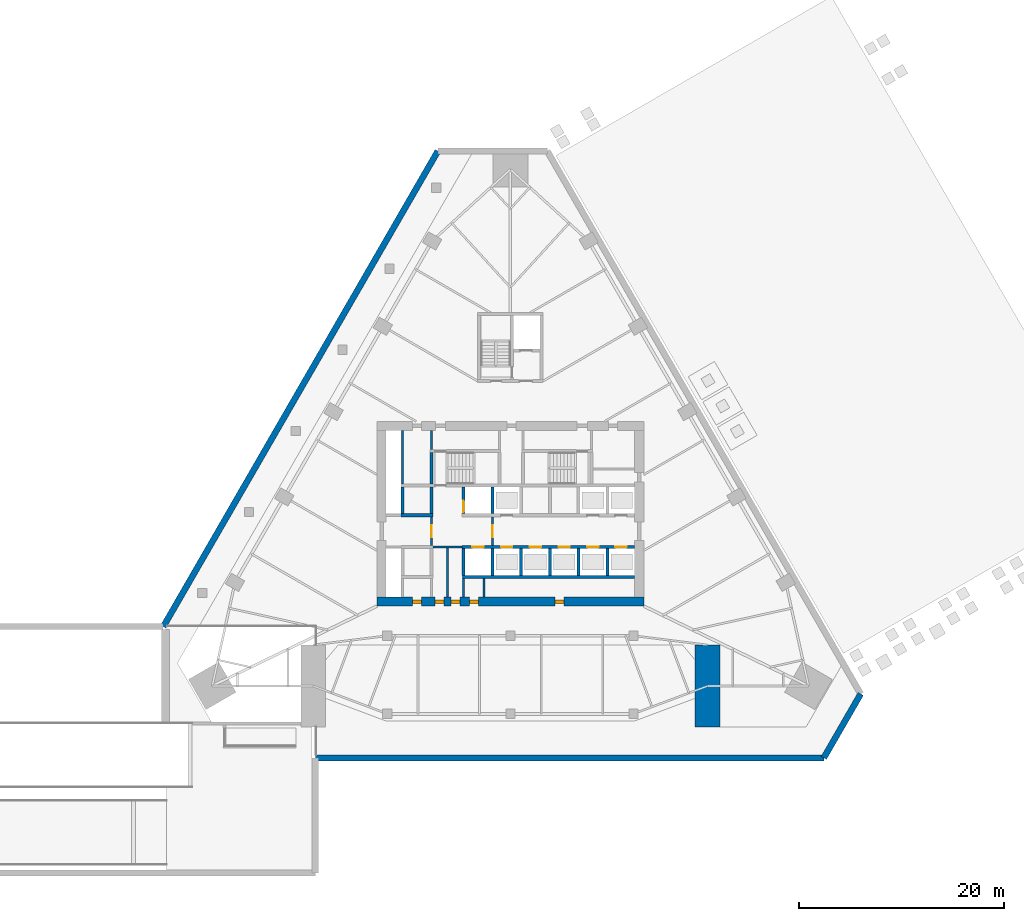
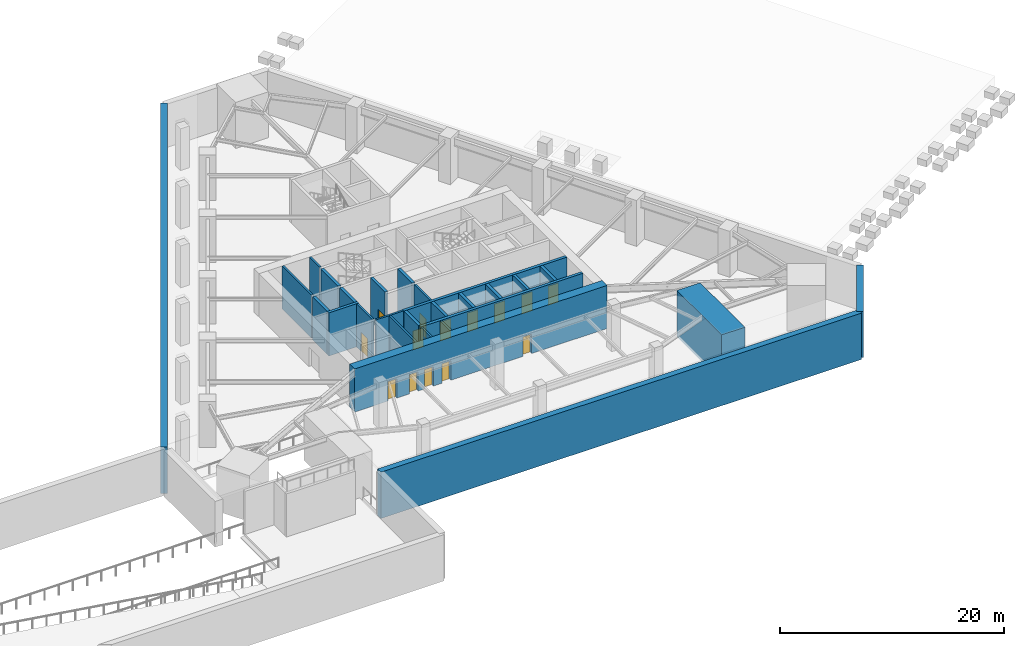
# One storey, part 4 of 9: 27 walls, 14 doors, 14 openings.
"""IFC4 building model written with IfcOpenShell, lengths in metres."""

import ifcopenshell
import ifcopenshell.guid

model = None  # the IFC model being written
_history = None  # IfcOwnerHistory: only IFC2X3 demands one
_inside = {}  # id of a spatial element -> (the spatial element, [elements in it])
_under = {}  # id of a project, library or spatial element -> (it, [spatial elements below it])
_declared = {}  # id of a project -> (the project, [libraries it declares])
_typed = {}  # id of a type object -> (the type object, [elements of that type])
_made_of = {}  # id of a material, layer set ... -> (it, [elements and type objects made of it])


def new_model(schema):
    """Start an empty IFC model of exactly this schema.

    Asked for "IFC4X3", IfcOpenShell would pick the latest addendum, in which some entities
    have other attributes; the version numbers below select the first issue.
    IFC2X3 requires an IfcOwnerHistory on every rooted entity: one is made here for all.
    """
    global model, _history
    if schema == "IFC4X3":
        model = ifcopenshell.file(schema_version=(4, 3, 0, 0))
    else:
        model = ifcopenshell.file(schema=schema)
    _inside.clear()
    _under.clear()
    _declared.clear()
    _typed.clear()
    _made_of.clear()
    _history = None
    if model.schema == "IFC2X3":
        org = make("IfcOrganization", Name="unknown")
        user = make(
            "IfcPersonAndOrganization",
            ThePerson=make("IfcPerson", FamilyName="unknown"),
            TheOrganization=org,
        )
        app = make(
            "IfcApplication",
            ApplicationDeveloper=org,
            Version="unknown",
            ApplicationFullName="unknown",
            ApplicationIdentifier="unknown",
        )
        _history = make(
            "IfcOwnerHistory",
            OwningUser=user,
            OwningApplication=app,
            ChangeAction="ADDED",
            CreationDate=0,
        )
    return model


def make(cls, **values):
    """One entity of the class cls with the attributes given. An attribute that is None is left unset."""
    return model.create_entity(
        cls, **{name: value for name, value in values.items() if value is not None}
    )


def rooted(cls, **values):
    """An entity with a GlobalId (a new one), such as an element, a storey or a relation."""
    return make(cls, GlobalId=ifcopenshell.guid.new(), OwnerHistory=_history, **values)


def si_unit(unit_type, name, prefix=None):
    """IfcSIUnit, for example si_unit("LENGTHUNIT", "METRE", prefix="MILLI")."""
    return make("IfcSIUnit", UnitType=unit_type, Prefix=prefix, Name=name)


def assignment(units):
    """IfcUnitAssignment: the units of a project."""
    return None if units is None else make("IfcUnitAssignment", Units=units)


def point(xyz):
    """IfcCartesianPoint."""
    return None if xyz is None else make("IfcCartesianPoint", Coordinates=xyz)


def direction(xyz):
    """IfcDirection."""
    return None if xyz is None else make("IfcDirection", DirectionRatios=xyz)


def frame(location, z_axis=None, x_axis=None):
    """IfcAxis2Placement3D, a coordinate frame: its origin and axes. An axis left out is left unset."""
    return make(
        "IfcAxis2Placement3D",
        Location=point(location),
        Axis=direction(z_axis),
        RefDirection=direction(x_axis),
    )


def frame_2d(location, x_axis=None):
    """IfcAxis2Placement2D, a coordinate frame in the plane: its origin and x axis."""
    return make(
        "IfcAxis2Placement2D", Location=point(location), RefDirection=direction(x_axis)
    )


def origin():
    """The frame at (0, 0, 0) with its axes left unset."""
    return frame((0.0, 0.0, 0.0))


def place(relative_to, where):
    """IfcLocalPlacement: puts the frame where relative to a parent placement (None: the world)."""
    return make(
        "IfcLocalPlacement", PlacementRelTo=relative_to, RelativePlacement=where
    )


def context(
    kind, dimensions, precision=None, world=None, true_north=None, identifier=None
):
    """IfcGeometricRepresentationContext, for example the 3D "Model" context."""
    return make(
        "IfcGeometricRepresentationContext",
        ContextIdentifier=identifier,
        ContextType=kind,
        CoordinateSpaceDimension=dimensions,
        Precision=precision,
        WorldCoordinateSystem=world,
        TrueNorth=true_north,
    )


def subcontext(parent, identifier, kind, view, scale=None):
    """IfcGeometricRepresentationSubContext, for example "Body" below "Model"."""
    return make(
        "IfcGeometricRepresentationSubContext",
        ContextIdentifier=identifier,
        ContextType=kind,
        ParentContext=parent,
        TargetScale=scale,
        TargetView=view,
    )


def project(units=None, contexts=None):
    """IfcProject with its units and contexts."""
    return rooted(
        "IfcProject",
        Name="project",
        RepresentationContexts=contexts,
        UnitsInContext=assignment(units),
    )


def spatial(cls, under=None, at=None, **own):
    """A site, building, storey or space (cls), placed at a placement, below another one or the project."""
    s = rooted(cls, ObjectPlacement=at, **own)
    if under is not None:
        _under.setdefault(under.id(), (under, []))[1].append(s)
    return s


def profile(cls, at=None, kind="AREA", **sizes):
    """A parametric profile (cls). Its sizes go by their IFC names, for example OverallWidth=200.0."""
    return make(cls, ProfileType=kind, Position=at, **sizes)


def rectangle(**sizes):
    """IfcRectangleProfileDef."""
    return profile("IfcRectangleProfileDef", **sizes)


def extrude(swept, where, along, depth):
    """IfcExtrudedAreaSolid: the profile swept, set in the frame where, extruded along a direction by depth."""
    return make(
        "IfcExtrudedAreaSolid",
        SweptArea=swept,
        Position=where,
        ExtrudedDirection=direction(along),
        Depth=depth,
    )


def shape(context_of_items, identifier, shape_type, items):
    """IfcShapeRepresentation: the items that make up one representation, for example the "Body"."""
    return make(
        "IfcShapeRepresentation",
        ContextOfItems=context_of_items,
        RepresentationIdentifier=identifier,
        RepresentationType=shape_type,
        Items=items,
    )


def material(Name=None, Category=None):
    """IfcMaterial."""
    return make("IfcMaterial", Name=Name, Category=Category)


def layer(
    of_material, thickness, ventilated=None, Name=None, Category=None, Priority=None
):
    """IfcMaterialLayer: one layer of a wall or slab, of a material (None: an air gap)."""
    return make(
        "IfcMaterialLayer",
        Material=of_material,
        LayerThickness=thickness,
        IsVentilated=ventilated,
        Name=Name,
        Category=Category,
        Priority=Priority,
    )


def layer_set(layers, Name=None):
    """IfcMaterialLayerSet."""
    return make("IfcMaterialLayerSet", MaterialLayers=layers, LayerSetName=Name)


def made_of(thing, what):
    """Note that an element or type object is made of a material, layer set ...; save() writes the relation."""
    if what is not None:
        _made_of.setdefault(what.id(), (what, []))[1].append(thing)
    return thing


def type_object(cls, material=None, **own):
    """A type object (cls), such as IfcWallType, which elements share."""
    return made_of(rooted(cls, **own), material)


def element(
    cls,
    number,
    at=None,
    inside=None,
    cuts=None,
    type_object=None,
    material=None,
    context=None,
    identifier="Body",
    shape_type=None,
    held_by="IfcProductDefinitionShape",
    body=None,
    shapes=None,
    **own,
):
    """One element of the class cls, such as IfcWall. Its Tag is "e" and its number.

    at: its placement. inside: the storey or other place that contains it. cuts: it is an
    opening in that element (IfcRelVoidsElement). A single representation is given by context,
    identifier, shape_type and body (its items); several are given by shapes. held_by: the class
    of the entity that holds the representations. save() writes the other relations.
    """
    e = rooted(cls, Tag="e%d" % number, ObjectPlacement=at, **own)
    if body is not None:
        shapes = [shape(context, identifier, shape_type, body)]
    if shapes is not None:
        e.Representation = make(held_by, Representations=shapes)
    if inside is not None:
        _inside.setdefault(inside.id(), (inside, []))[1].append(e)
    if cuts is not None:
        rooted(
            "IfcRelVoidsElement", RelatingBuildingElement=cuts, RelatedOpeningElement=e
        )
    if type_object is not None:
        _typed.setdefault(type_object.id(), (type_object, []))[1].append(e)
    return made_of(e, material)


def fill(opening, filler):
    """IfcRelFillsElement: the door or window that sits in an opening."""
    return rooted(
        "IfcRelFillsElement",
        RelatingOpeningElement=opening,
        RelatedBuildingElement=filler,
    )


def aggregate(whole, parts):
    """IfcRelAggregates: a whole, such as a stair, and the parts it consists of."""
    return rooted("IfcRelAggregates", RelatingObject=whole, RelatedObjects=parts)


def save(model, path):
    """Write the relations noted so far, then the file.

    IfcRelAggregates (storeys below a building ...), IfcRelContainedInSpatialStructure (elements
    in a storey), IfcRelDefinesByType, IfcRelAssociatesMaterial and IfcRelDeclares: one each for
    every whole, place, type object, material and project.
    """
    for whole, parts in _under.values():
        aggregate(whole, parts)
    for where, things in _inside.values():
        rooted(
            "IfcRelContainedInSpatialStructure",
            RelatedElements=things,
            RelatingStructure=where,
        )
    for kind, things in _typed.values():
        rooted("IfcRelDefinesByType", RelatedObjects=things, RelatingType=kind)
    for what, things in _made_of.values():
        rooted("IfcRelAssociatesMaterial", RelatedObjects=things, RelatingMaterial=what)
    for by, libraries in _declared.values():
        rooted("IfcRelDeclares", RelatingContext=by, RelatedDefinitions=libraries)
    model.write(path)


model = new_model("IFC4")

# Units and contexts
model_context = context("Model", 3, precision=1e-05, world=origin(), true_north=direction((0.0, 1.0)))
body_context = subcontext(model_context, "Body", "Model", "MODEL_VIEW")
ifc_project = project(units=[si_unit("LENGTHUNIT", "METRE"), si_unit("AREAUNIT", "SQUARE_METRE"), si_unit("VOLUMEUNIT", "CUBIC_METRE"), si_unit("PLANEANGLEUNIT", "RADIAN"), si_unit("MASSUNIT", "GRAM", prefix="KILO")], contexts=[model_context])

# Site, building, storey
site_placement = place(None, origin())
site = spatial("IfcSite", under=ifc_project, at=site_placement, CompositionType="ELEMENT")
building_placement = place(site_placement, origin())
building = spatial("IfcBuilding", under=site, at=building_placement, Name="Firuza Gate Tower and Library", CompositionType="ELEMENT")
storey_placement = place(building_placement, frame((0.0, 0.0, -5.0)))
storey = spatial("IfcBuildingStorey", under=building, at=storey_placement, Name="B1", CompositionType="ELEMENT", Elevation=-5.0)

# Walls
ifc_material_1 = material(Name="Plasterboard on steel studs", Category="steel")
ifc_layer_1 = layer(ifc_material_1, 0.199951171875)
ifc_layer_set_1 = layer_set([ifc_layer_1], Name="Core partition 200 EI 120")
wall_type_1 = type_object("IfcWallType", Name="Core partition 200 EI 120", PredefinedType="PARTITIONING", material=ifc_layer_set_1)
wall_1_placement = place(storey_placement, frame((67.449951171875, 71.75, 0.0), z_axis=(0.0, 0.0, 1.0), x_axis=(1.0, 0.0, 0.0)))
element("IfcWall", 1, at=wall_1_placement, inside=storey, type_object=wall_type_1, Name="Core partition B1 2", PredefinedType="PARTITIONING", context=body_context, shape_type="SweptSolid", body=[
    extrude(rectangle(XDim=2.85009765625, YDim=0.199951171875, at=frame_2d((1.425048828125, 0.0))), origin(), (0.0, 0.0, 1.0), 4.699951171875),
])
wall_2_placement = place(storey_placement, frame((64.5, 77.89990234375, 0.0), z_axis=(0.0, 0.0, 1.0), x_axis=(0.0, 1.0, 0.0)))
element("IfcWall", 2, at=wall_2_placement, inside=storey, type_object=wall_type_1, Name="Core partition B1 6", PredefinedType="PARTITIONING", context=body_context, shape_type="SweptSolid", body=[
    extrude(rectangle(XDim=5.2001953125, YDim=0.199951171875, at=frame_2d((2.60009765625, 0.0))), origin(), (0.0, 0.0, 1.0), 4.699951171875),
])
wall_3_placement = place(storey_placement, frame((67.300048828125, 81.280029296875, 0.0), z_axis=(0.0, 0.0, 1.0), x_axis=(0.0, 1.0, 0.0)))
element("IfcWall", 3, at=wall_3_placement, inside=storey, type_object=wall_type_1, Name="Core partition B1 9", PredefinedType="PARTITIONING", context=body_context, shape_type="SweptSolid", body=[
    extrude(rectangle(XDim=1.820068359375, YDim=0.199951171875, at=frame_2d((0.91015625, 0.0))), origin(), (0.0, 0.0, 1.0), 4.699951171875),
])
wall_4_placement = place(storey_placement, frame((68.875, 66.89990234375, 0.0), z_axis=(0.0, 0.0, 1.0), x_axis=(0.0, 1.0, 0.0)))
element("IfcWall", 4, at=wall_4_placement, inside=storey, type_object=wall_type_1, Name="Core partition B1 10", PredefinedType="PARTITIONING", context=body_context, shape_type="SweptSolid", body=[
    extrude(rectangle(XDim=4.75, YDim=0.199951171875, at=frame_2d((2.375, 0.0))), origin(), (0.0, 0.0, 1.0), 4.699951171875),
])
for number, where, z_axis, x_axis, name in (
    (5, (70.449951171875, 66.89990234375, 0.0), (0.0, 0.0, 1.0), (0.0, 1.0, 0.0), "Core partition B1 11"),
    (6, (72.447998046875, 66.89990234375, 0.0), (0.0, 0.0, 1.0), (0.0, 1.0, 0.0), "Core partition B1 12"),
):
    element("IfcWall", number, at=place(storey_placement, frame(where, z_axis=z_axis, x_axis=x_axis)), inside=storey, type_object=wall_type_1, Name=name, PredefinedType="PARTITIONING", context=body_context, shape_type="SweptSolid", body=[
        extrude(rectangle(XDim=1.800048828125, YDim=0.199951171875, at=frame_2d((0.89990234375, 0.0))), origin(), (0.0, 0.0, 1.0), 4.699951171875),
    ])

# Wall, opening, door
ifc_material_2 = material(Name="Plasterboard on steel studs", Category="steel")
ifc_layer_2 = layer(ifc_material_2, 0.199951171875)
ifc_layer_set_2 = layer_set([ifc_layer_2], Name="Core partition 200 EI 60")
wall_type_2 = type_object("IfcWallType", Name="Core partition 200 EI 60", PredefinedType="PARTITIONING", material=ifc_layer_set_2)
wall_5_placement = place(storey_placement, frame((67.300048828125, 71.89990234375, 0.0), z_axis=(0.0, 0.0, 1.0), x_axis=(0.0, 1.0, 0.0)))
wall_5 = element("IfcWall", 7, at=wall_5_placement, inside=storey, type_object=wall_type_2, Name="Core partition B1 8", PredefinedType="PARTITIONING", context=body_context, shape_type="SweptSolid", body=[
    extrude(rectangle(XDim=2.800048828125, YDim=0.199951171875, at=frame_2d((1.39990234375, 0.0))), origin(), (0.0, 0.0, 1.0), 4.699951171875),
])
opening_1_placement = place(wall_5_placement, frame((0.800048828125, 0.0, 0.0)))
opening_1 = element("IfcOpeningElement", 8, at=opening_1_placement, cuts=wall_5, Name="Opening B1-K21", PredefinedType="OPENING", context=body_context, shape_type="SweptSolid", body=[
    extrude(rectangle(XDim=1.199951171875, YDim=2.10009765625, at=frame_2d((0.60009765625, 1.050048828125))), frame((0.0, 0.10986328125, 0.0), z_axis=(0.0, -1.0, 0.0), x_axis=(1.0, 0.0, 0.0)), (0.0, 0.0, 1.0), 0.219970703125),
])
ifc_material_3 = material(Name="Steel", Category="steel")
door_type_1 = type_object("IfcDoorType", Name="Fire door 1200x2100 FD90S", OperationType="NOTDEFINED", PredefinedType="DOOR", material=ifc_material_3)
door_1_placement = place(opening_1_placement, origin())
door_1 = element("IfcDoor", 9, at=door_1_placement, inside=storey, type_object=door_type_1, Name="Door B1-K21", OperationType="SINGLE_SWING_RIGHT", OverallHeight=2.10009765625, OverallWidth=1.199951171875, PredefinedType="DOOR", context=body_context, shape_type="SweptSolid", body=[
    extrude(rectangle(XDim=1.199951171875, YDim=2.10009765625, at=frame_2d((0.60009765625, 1.050048828125))), frame((0.0, 0.02490234375, 0.0), z_axis=(0.0, -1.0, 0.0), x_axis=(1.0, 0.0, 0.0)), (0.0, 0.0, 1.0), 0.050048828125),
])
fill(opening_1, door_1)

wall_6_placement = place(storey_placement, frame((73.25, 71.89990234375, 0.0), z_axis=(0.0, 0.0, 1.0), x_axis=(0.0, 1.0, 0.0)))
wall_6 = element("IfcWall", 10, at=wall_6_placement, inside=storey, type_object=wall_type_2, Name="Core partition B1 13", PredefinedType="PARTITIONING", context=body_context, shape_type="SweptSolid", body=[
    extrude(rectangle(XDim=2.800048828125, YDim=0.199951171875, at=frame_2d((1.39990234375, 0.0))), origin(), (0.0, 0.0, 1.0), 4.699951171875),
])
opening_2_placement = place(wall_6_placement, frame((0.800048828125, 0.0, 0.0)))
opening_2 = element("IfcOpeningElement", 11, at=opening_2_placement, cuts=wall_6, Name="Opening B1-K20", PredefinedType="OPENING", context=body_context, shape_type="SweptSolid", body=[
    extrude(rectangle(XDim=1.199951171875, YDim=2.10009765625, at=frame_2d((0.60009765625, 1.050048828125))), frame((0.0, 0.10986328125, 0.0), z_axis=(0.0, -1.0, 0.0), x_axis=(1.0, 0.0, 0.0)), (0.0, 0.0, 1.0), 0.219970703125),
])
door_2_placement = place(opening_2_placement, origin())
door_2 = element("IfcDoor", 12, at=door_2_placement, inside=storey, type_object=door_type_1, Name="Door B1-K20", OperationType="SINGLE_SWING_LEFT", OverallHeight=2.10009765625, OverallWidth=1.199951171875, PredefinedType="DOOR", context=body_context, shape_type="SweptSolid", body=[
    extrude(rectangle(XDim=1.199951171875, YDim=2.10009765625, at=frame_2d((0.60009765625, 1.050048828125))), frame((0.0, 0.02490234375, 0.0), z_axis=(0.0, -1.0, 0.0), x_axis=(1.0, 0.0, 0.0)), (0.0, 0.0, 1.0), 0.050048828125),
])
fill(opening_2, door_2)

# Wall
ifc_material_4 = material(Name="Concrete C80/95", Category="concrete")
ifc_layer_3 = layer(ifc_material_4, 0.300048828125)
ifc_layer_set_3 = layer_set([ifc_layer_3], Name="Core wall 300 C80/95")
wall_type_3 = type_object("IfcWallType", Name="Core wall 300 C80/95", PredefinedType="SHEAR", material=ifc_layer_set_3)
wall_7_placement = place(storey_placement, frame((70.35009765625, 68.85009765625, 0.0), z_axis=(0.0, 0.0, 1.0), x_axis=(1.0, 0.0, 0.0)))
element("IfcWall", 13, at=wall_7_placement, inside=storey, type_object=wall_type_3, Name="Core wall B1 6", PredefinedType="SHEAR", context=body_context, shape_type="SweptSolid", body=[
    extrude(rectangle(XDim=16.75, YDim=0.300048828125, at=frame_2d((8.375, 0.0))), origin(), (0.0, 0.0, 1.0), 4.699951171875),
])

# Wall, openings, doors
wall_8_placement = place(storey_placement, frame((70.300048828125, 71.75, 0.0), z_axis=(0.0, 0.0, 1.0), x_axis=(1.0, 0.0, 0.0)))
wall_8 = element("IfcWall", 14, at=wall_8_placement, inside=storey, type_object=wall_type_3, Name="Core wall B1 8", PredefinedType="SHEAR", context=body_context, shape_type="SweptSolid", body=[
    extrude(rectangle(XDim=16.800048828125, YDim=0.300048828125, at=frame_2d((8.39990234375, 0.0))), origin(), (0.0, 0.0, 1.0), 4.699951171875),
])
opening_3_placement = place(wall_8_placement, frame((1.0, 0.0, 0.0)))
opening_3 = element("IfcOpeningElement", 15, at=opening_3_placement, cuts=wall_8, Name="Opening LD-FF1-B1", PredefinedType="OPENING", context=body_context, shape_type="SweptSolid", body=[
    extrude(rectangle(XDim=1.10009765625, YDim=2.10009765625, at=frame_2d((0.550048828125, 1.050048828125))), frame((0.0, 0.16015625, 0.0), z_axis=(0.0, -1.0, 0.0), x_axis=(1.0, 0.0, 0.0)), (0.0, 0.0, 1.0), 0.320068359375),
])
opening_4_placement = place(wall_8_placement, frame((3.800048828125, 0.0, 0.0)))
opening_4 = element("IfcOpeningElement", 16, at=opening_4_placement, cuts=wall_8, Name="Opening LD-LR1-B1", PredefinedType="OPENING", context=body_context, shape_type="SweptSolid", body=[
    extrude(rectangle(XDim=1.10009765625, YDim=2.10009765625, at=frame_2d((0.550048828125, 1.050048828125))), frame((0.0, 0.16015625, 0.0), z_axis=(0.0, -1.0, 0.0), x_axis=(1.0, 0.0, 0.0)), (0.0, 0.0, 1.0), 0.320068359375),
])
opening_5_placement = place(wall_8_placement, frame((6.60009765625, 0.0, 0.0)))
opening_5 = element("IfcOpeningElement", 17, at=opening_5_placement, cuts=wall_8, Name="Opening LD-LR2-B1", PredefinedType="OPENING", context=body_context, shape_type="SweptSolid", body=[
    extrude(rectangle(XDim=1.10009765625, YDim=2.10009765625, at=frame_2d((0.550048828125, 1.050048828125))), frame((0.0, 0.16015625, 0.0), z_axis=(0.0, -1.0, 0.0), x_axis=(1.0, 0.0, 0.0)), (0.0, 0.0, 1.0), 0.320068359375),
])
opening_6_placement = place(wall_8_placement, frame((9.39990234375, 0.0, 0.0)))
opening_6 = element("IfcOpeningElement", 18, at=opening_6_placement, cuts=wall_8, Name="Opening LD-LR3-B1", PredefinedType="OPENING", context=body_context, shape_type="SweptSolid", body=[
    extrude(rectangle(XDim=1.10009765625, YDim=2.10009765625, at=frame_2d((0.550048828125, 1.050048828125))), frame((0.0, 0.16015625, 0.0), z_axis=(0.0, -1.0, 0.0), x_axis=(1.0, 0.0, 0.0)), (0.0, 0.0, 1.0), 0.320068359375),
])
opening_7_placement = place(wall_8_placement, frame((12.199951171875, 0.0, 0.0)))
opening_7 = element("IfcOpeningElement", 19, at=opening_7_placement, cuts=wall_8, Name="Opening LD-LR5-B1", PredefinedType="OPENING", context=body_context, shape_type="SweptSolid", body=[
    extrude(rectangle(XDim=1.10009765625, YDim=2.10009765625, at=frame_2d((0.550048828125, 1.050048828125))), frame((0.0, 0.16015625, 0.0), z_axis=(0.0, -1.0, 0.0), x_axis=(1.0, 0.0, 0.0)), (0.0, 0.0, 1.0), 0.320068359375),
])
opening_8_placement = place(wall_8_placement, frame((14.925048828125, 0.0, 0.0)))
opening_8 = element("IfcOpeningElement", 20, at=opening_8_placement, cuts=wall_8, Name="Opening LD-LR7-B1", PredefinedType="OPENING", context=body_context, shape_type="SweptSolid", body=[
    extrude(rectangle(XDim=1.10009765625, YDim=2.10009765625, at=frame_2d((0.550048828125, 1.050048828125))), frame((0.0, 0.16015625, 0.0), z_axis=(0.0, -1.0, 0.0), x_axis=(1.0, 0.0, 0.0)), (0.0, 0.0, 1.0), 0.320068359375),
])
ifc_material_5 = material(Name="Stainless steel", Category="steel")
door_type_2 = type_object("IfcDoorType", Name="Lift landing door 1100x2100", OperationType="DOUBLE_DOOR_SLIDING", PredefinedType="DOOR", material=ifc_material_5)
door_3_placement = place(opening_3_placement, origin())
door_3 = element("IfcDoor", 21, at=door_3_placement, inside=storey, type_object=door_type_2, Name="Landing door FF1 B1", OperationType="DOUBLE_DOOR_SLIDING", OverallHeight=2.10009765625, OverallWidth=1.10009765625, PredefinedType="DOOR", context=body_context, shape_type="SweptSolid", body=[
    extrude(rectangle(XDim=1.10009765625, YDim=2.10009765625, at=frame_2d((0.550048828125, 1.050048828125))), frame((0.0, 0.02490234375, 0.0), z_axis=(0.0, -1.0, 0.0), x_axis=(1.0, 0.0, 0.0)), (0.0, 0.0, 1.0), 0.050048828125),
])
fill(opening_3, door_3)
door_4_placement = place(opening_4_placement, origin())
door_4 = element("IfcDoor", 22, at=door_4_placement, inside=storey, type_object=door_type_2, Name="Landing door LR1 B1", OperationType="DOUBLE_DOOR_SLIDING", OverallHeight=2.10009765625, OverallWidth=1.10009765625, PredefinedType="DOOR", context=body_context, shape_type="SweptSolid", body=[
    extrude(rectangle(XDim=1.10009765625, YDim=2.10009765625, at=frame_2d((0.550048828125, 1.050048828125))), frame((0.0, 0.02490234375, 0.0), z_axis=(0.0, -1.0, 0.0), x_axis=(1.0, 0.0, 0.0)), (0.0, 0.0, 1.0), 0.050048828125),
])
fill(opening_4, door_4)
door_5_placement = place(opening_5_placement, origin())
door_5 = element("IfcDoor", 23, at=door_5_placement, inside=storey, type_object=door_type_2, Name="Landing door LR2 B1", OperationType="DOUBLE_DOOR_SLIDING", OverallHeight=2.10009765625, OverallWidth=1.10009765625, PredefinedType="DOOR", context=body_context, shape_type="SweptSolid", body=[
    extrude(rectangle(XDim=1.10009765625, YDim=2.10009765625, at=frame_2d((0.550048828125, 1.050048828125))), frame((0.0, 0.02490234375, 0.0), z_axis=(0.0, -1.0, 0.0), x_axis=(1.0, 0.0, 0.0)), (0.0, 0.0, 1.0), 0.050048828125),
])
fill(opening_5, door_5)
door_6_placement = place(opening_6_placement, origin())
door_6 = element("IfcDoor", 24, at=door_6_placement, inside=storey, type_object=door_type_2, Name="Landing door LR3 B1", OperationType="DOUBLE_DOOR_SLIDING", OverallHeight=2.10009765625, OverallWidth=1.10009765625, PredefinedType="DOOR", context=body_context, shape_type="SweptSolid", body=[
    extrude(rectangle(XDim=1.10009765625, YDim=2.10009765625, at=frame_2d((0.550048828125, 1.050048828125))), frame((0.0, 0.02490234375, 0.0), z_axis=(0.0, -1.0, 0.0), x_axis=(1.0, 0.0, 0.0)), (0.0, 0.0, 1.0), 0.050048828125),
])
fill(opening_6, door_6)
door_7_placement = place(opening_7_placement, origin())
door_7 = element("IfcDoor", 25, at=door_7_placement, inside=storey, type_object=door_type_2, Name="Landing door LR5 B1", OperationType="DOUBLE_DOOR_SLIDING", OverallHeight=2.10009765625, OverallWidth=1.10009765625, PredefinedType="DOOR", context=body_context, shape_type="SweptSolid", body=[
    extrude(rectangle(XDim=1.10009765625, YDim=2.10009765625, at=frame_2d((0.550048828125, 1.050048828125))), frame((0.0, 0.02490234375, 0.0), z_axis=(0.0, -1.0, 0.0), x_axis=(1.0, 0.0, 0.0)), (0.0, 0.0, 1.0), 0.050048828125),
])
fill(opening_7, door_7)
door_8_placement = place(opening_8_placement, origin())
door_8 = element("IfcDoor", 26, at=door_8_placement, inside=storey, type_object=door_type_2, Name="Landing door LR7 B1", OperationType="DOUBLE_DOOR_SLIDING", OverallHeight=2.10009765625, OverallWidth=1.10009765625, PredefinedType="DOOR", context=body_context, shape_type="SweptSolid", body=[
    extrude(rectangle(XDim=1.10009765625, YDim=2.10009765625, at=frame_2d((0.550048828125, 1.050048828125))), frame((0.0, 0.02490234375, 0.0), z_axis=(0.0, -1.0, 0.0), x_axis=(1.0, 0.0, 0.0)), (0.0, 0.0, 1.0), 0.050048828125),
])
fill(opening_8, door_8)

# Walls
wall_9_placement = place(storey_placement, frame((64.35009765625, 74.85009765625, 0.0), z_axis=(0.0, 0.0, 1.0), x_axis=(1.0, 0.0, 0.0)))
element("IfcWall", 27, at=wall_9_placement, inside=storey, type_object=wall_type_3, Name="Core wall B1 9", PredefinedType="SHEAR", context=body_context, shape_type="SweptSolid", body=[
    extrude(rectangle(XDim=3.099853515625, YDim=0.300048828125, at=frame_2d((1.5498046875, 0.0))), origin(), (0.0, 0.0, 1.0), 4.699951171875),
])
for number, where, z_axis, x_axis, name in (
    (28, (64.5, 75.0, 0.0), (0.0, 0.0, 1.0), (0.0, 1.0, 0.0), "Core wall B1 12"),
    (29, (67.300048828125, 75.0, 0.0), (0.0, 0.0, 1.0), (0.0, 1.0, 0.0), "Core wall B1 14"),
    (30, (70.449951171875, 69.0, 0.0), (0.0, 0.0, 1.0), (0.0, 1.0, 0.0), "Core wall B1 15"),
):
    element("IfcWall", number, at=place(storey_placement, frame(where, z_axis=z_axis, x_axis=x_axis)), inside=storey, type_object=wall_type_3, Name=name, PredefinedType="SHEAR", context=body_context, shape_type="SweptSolid", body=[
        extrude(rectangle(XDim=2.60009765625, YDim=0.300048828125, at=frame_2d((1.300048828125, 0.0))), origin(), (0.0, 0.0, 1.0), 4.699951171875),
    ])

# Wall, opening, door
wall_10_placement = place(storey_placement, frame((70.449951171875, 75.0, 0.0), z_axis=(0.0, 0.0, 1.0), x_axis=(0.0, 1.0, 0.0)))
wall_10 = element("IfcWall", 31, at=wall_10_placement, inside=storey, type_object=wall_type_3, Name="Core wall B1 16", PredefinedType="SHEAR", context=body_context, shape_type="SweptSolid", body=[
    extrude(rectangle(XDim=2.60009765625, YDim=0.300048828125, at=frame_2d((1.300048828125, 0.0))), origin(), (0.0, 0.0, 1.0), 4.699951171875),
])
opening_9_placement = place(wall_10_placement, frame((0.14990234375, 0.0, 0.0)))
opening_9 = element("IfcOpeningElement", 32, at=opening_9_placement, cuts=wall_10, Name="Opening LD-FF2-B1", PredefinedType="OPENING", context=body_context, shape_type="SweptSolid", body=[
    extrude(rectangle(XDim=1.10009765625, YDim=2.10009765625, at=frame_2d((0.550048828125, 1.050048828125))), frame((0.0, 0.16015625, 0.0), z_axis=(0.0, -1.0, 0.0), x_axis=(1.0, 0.0, 0.0)), (0.0, 0.0, 1.0), 0.320068359375),
])
door_9_placement = place(opening_9_placement, origin())
door_9 = element("IfcDoor", 33, at=door_9_placement, inside=storey, type_object=door_type_2, Name="Landing door FF2 B1", OperationType="DOUBLE_DOOR_SLIDING", OverallHeight=2.10009765625, OverallWidth=1.10009765625, PredefinedType="DOOR", context=body_context, shape_type="SweptSolid", body=[
    extrude(rectangle(XDim=1.10009765625, YDim=2.10009765625, at=frame_2d((0.550048828125, 1.050048828125))), frame((0.0, 0.02490234375, 0.0), z_axis=(0.0, -1.0, 0.0), x_axis=(1.0, 0.0, 0.0)), (0.0, 0.0, 1.0), 0.050048828125),
])
fill(opening_9, door_9)

# Walls
for number, where, z_axis, x_axis, name in (
    (34, (73.25, 69.0, 0.0), (0.0, 0.0, 1.0), (0.0, 1.0, 0.0), "Core wall B1 17"),
    (35, (73.25, 75.0, 0.0), (0.0, 0.0, 1.0), (0.0, 1.0, 0.0), "Core wall B1 18"),
    (36, (76.050048828125, 69.0, 0.0), (0.0, 0.0, 1.0), (0.0, 1.0, 0.0), "Core wall B1 19"),
    (37, (78.85009765625, 69.0, 0.0), (0.0, 0.0, 1.0), (0.0, 1.0, 0.0), "Core wall B1 21"),
    (38, (81.64990234375, 69.0, 0.0), (0.0, 0.0, 1.0), (0.0, 1.0, 0.0), "Core wall B1 23"),
    (39, (84.449951171875, 69.0, 0.0), (0.0, 0.0, 1.0), (0.0, 1.0, 0.0), "Core wall B1 25"),
):
    element("IfcWall", number, at=place(storey_placement, frame(where, z_axis=z_axis, x_axis=x_axis)), inside=storey, type_object=wall_type_3, Name=name, PredefinedType="SHEAR", context=body_context, shape_type="SweptSolid", body=[
        extrude(rectangle(XDim=2.60009765625, YDim=0.300048828125, at=frame_2d((1.300048828125, 0.0))), origin(), (0.0, 0.0, 1.0), 4.699951171875),
    ])
wall_11_placement = place(storey_placement, frame((67.300048828125, 77.89990234375, 0.0), z_axis=(0.0, 0.0, 1.0), x_axis=(0.0, 1.0, 0.0)))
element("IfcWall", 40, at=wall_11_placement, inside=storey, type_object=wall_type_3, Name="Core wall B1 30", PredefinedType="SHEAR", context=body_context, shape_type="SweptSolid", body=[
    extrude(rectangle(XDim=3.080078125, YDim=0.300048828125, at=frame_2d((1.5400390625, 0.0))), origin(), (0.0, 0.0, 1.0), 4.699951171875),
])

# Wall, openings, doors
ifc_material_6 = material(Name="Concrete C80/95", Category="concrete")
ifc_layer_4 = layer(ifc_material_6, 0.89990234375)
ifc_layer_set_4 = layer_set([ifc_layer_4], Name="Core wall 900 C80/95")
wall_type_4 = type_object("IfcWallType", Name="Core wall 900 C80/95", PredefinedType="SHEAR", material=ifc_layer_set_4)
wall_12_placement = place(storey_placement, frame((62.0, 66.449951171875, 0.0), z_axis=(0.0, 0.0, 1.0), x_axis=(1.0, 0.0, 0.0)))
wall_12 = element("IfcWall", 41, at=wall_12_placement, inside=storey, type_object=wall_type_4, Name="Core wall B1 1", PredefinedType="SHEAR", context=body_context, shape_type="SweptSolid", body=[
    extrude(rectangle(XDim=26.0, YDim=0.89990234375, at=frame_2d((13.0, 0.0))), origin(), (0.0, 0.0, 1.0), 4.699951171875),
])
opening_10_placement = place(wall_12_placement, frame((3.449951171875, 0.0, 0.0)))
opening_10 = element("IfcOpeningElement", 42, at=opening_10_placement, cuts=wall_12, Name="Opening B1-K24", PredefinedType="OPENING", context=body_context, shape_type="SweptSolid", body=[
    extrude(rectangle(XDim=0.89990234375, YDim=2.10009765625, at=frame_2d((0.449951171875, 1.050048828125))), frame((0.0, 0.4599609375, 0.0), z_axis=(0.0, -1.0, 0.0), x_axis=(1.0, 0.0, 0.0)), (0.0, 0.0, 1.0), 0.919921875),
])
opening_11_placement = place(wall_12_placement, frame((5.637451171875, 0.0, 0.0)))
opening_11 = element("IfcOpeningElement", 43, at=opening_11_placement, cuts=wall_12, Name="Opening B1-K25", PredefinedType="OPENING", context=body_context, shape_type="SweptSolid", body=[
    extrude(rectangle(XDim=0.89990234375, YDim=2.10009765625, at=frame_2d((0.449951171875, 1.050048828125))), frame((0.0, 0.4599609375, 0.0), z_axis=(0.0, -1.0, 0.0), x_axis=(1.0, 0.0, 0.0)), (0.0, 0.0, 1.0), 0.919921875),
])
opening_12_placement = place(wall_12_placement, frame((7.21240234375, 0.0, 0.0)))
opening_12 = element("IfcOpeningElement", 44, at=opening_12_placement, cuts=wall_12, Name="Opening B1-K26", PredefinedType="OPENING", context=body_context, shape_type="SweptSolid", body=[
    extrude(rectangle(XDim=0.89990234375, YDim=2.10009765625, at=frame_2d((0.449951171875, 1.050048828125))), frame((0.0, 0.4599609375, 0.0), z_axis=(0.0, -1.0, 0.0), x_axis=(1.0, 0.0, 0.0)), (0.0, 0.0, 1.0), 0.919921875),
])
opening_13_placement = place(wall_12_placement, frame((8.9990234375, 0.0, 0.0)))
opening_13 = element("IfcOpeningElement", 45, at=opening_13_placement, cuts=wall_12, Name="Opening B1-K27", PredefinedType="OPENING", context=body_context, shape_type="SweptSolid", body=[
    extrude(rectangle(XDim=0.89990234375, YDim=2.10009765625, at=frame_2d((0.449951171875, 1.050048828125))), frame((0.0, 0.4599609375, 0.0), z_axis=(0.0, -1.0, 0.0), x_axis=(1.0, 0.0, 0.0)), (0.0, 0.0, 1.0), 0.919921875),
])
opening_14_placement = place(wall_12_placement, frame((17.323974609375, 0.0, 0.0)))
opening_14 = element("IfcOpeningElement", 46, at=opening_14_placement, cuts=wall_12, Name="Opening B1-K28", PredefinedType="OPENING", context=body_context, shape_type="SweptSolid", body=[
    extrude(rectangle(XDim=0.89990234375, YDim=2.10009765625, at=frame_2d((0.449951171875, 1.050048828125))), frame((0.0, 0.4599609375, 0.0), z_axis=(0.0, -1.0, 0.0), x_axis=(1.0, 0.0, 0.0)), (0.0, 0.0, 1.0), 0.919921875),
])
ifc_material_7 = material(Name="Steel", Category="steel")
door_type_3 = type_object("IfcDoorType", Name="Fire door 900x2100 FD30S", OperationType="NOTDEFINED", PredefinedType="DOOR", material=ifc_material_7)
door_10_placement = place(opening_10_placement, origin())
door_10 = element("IfcDoor", 47, at=door_10_placement, inside=storey, type_object=door_type_3, Name="Door B1-K24", OperationType="SINGLE_SWING_LEFT", OverallHeight=2.10009765625, OverallWidth=0.89990234375, PredefinedType="DOOR", context=body_context, shape_type="SweptSolid", body=[
    extrude(rectangle(XDim=0.89990234375, YDim=2.10009765625, at=frame_2d((0.449951171875, 1.050048828125))), frame((0.0, 0.169921875, 0.0), z_axis=(0.0, -1.0, 0.0), x_axis=(1.0, 0.0, 0.0)), (0.0, 0.0, 1.0), 0.33984375),
])
fill(opening_10, door_10)
door_11_placement = place(opening_11_placement, origin())
door_11 = element("IfcDoor", 48, at=door_11_placement, inside=storey, type_object=door_type_3, Name="Door B1-K25", OperationType="SINGLE_SWING_RIGHT", OverallHeight=2.10009765625, OverallWidth=0.89990234375, PredefinedType="DOOR", context=body_context, shape_type="SweptSolid", body=[
    extrude(rectangle(XDim=0.89990234375, YDim=2.10009765625, at=frame_2d((0.449951171875, 1.050048828125))), frame((0.0, 0.169921875, 0.0), z_axis=(0.0, -1.0, 0.0), x_axis=(1.0, 0.0, 0.0)), (0.0, 0.0, 1.0), 0.33984375),
])
fill(opening_11, door_11)
door_12_placement = place(opening_12_placement, origin())
door_12 = element("IfcDoor", 49, at=door_12_placement, inside=storey, type_object=door_type_3, Name="Door B1-K26", OperationType="SINGLE_SWING_LEFT", OverallHeight=2.10009765625, OverallWidth=0.89990234375, PredefinedType="DOOR", context=body_context, shape_type="SweptSolid", body=[
    extrude(rectangle(XDim=0.89990234375, YDim=2.10009765625, at=frame_2d((0.449951171875, 1.050048828125))), frame((0.0, 0.169921875, 0.0), z_axis=(0.0, -1.0, 0.0), x_axis=(1.0, 0.0, 0.0)), (0.0, 0.0, 1.0), 0.33984375),
])
fill(opening_12, door_12)
door_13_placement = place(opening_13_placement, origin())
door_13 = element("IfcDoor", 50, at=door_13_placement, inside=storey, type_object=door_type_3, Name="Door B1-K27", OperationType="SINGLE_SWING_RIGHT", OverallHeight=2.10009765625, OverallWidth=0.89990234375, PredefinedType="DOOR", context=body_context, shape_type="SweptSolid", body=[
    extrude(rectangle(XDim=0.89990234375, YDim=2.10009765625, at=frame_2d((0.449951171875, 1.050048828125))), frame((0.0, 0.169921875, 0.0), z_axis=(0.0, -1.0, 0.0), x_axis=(1.0, 0.0, 0.0)), (0.0, 0.0, 1.0), 0.33984375),
])
fill(opening_13, door_13)
door_14_placement = place(opening_14_placement, origin())
door_14 = element("IfcDoor", 51, at=door_14_placement, inside=storey, type_object=door_type_3, Name="Door B1-K28", OperationType="SINGLE_SWING_LEFT", OverallHeight=2.10009765625, OverallWidth=0.89990234375, PredefinedType="DOOR", context=body_context, shape_type="SweptSolid", body=[
    extrude(rectangle(XDim=0.89990234375, YDim=2.10009765625, at=frame_2d((0.449951171875, 1.050048828125))), frame((0.0, 0.169921875, 0.0), z_axis=(0.0, -1.0, 0.0), x_axis=(1.0, 0.0, 0.0)), (0.0, 0.0, 1.0), 0.33984375),
])
fill(opening_14, door_14)

# Walls
ifc_material_8 = material(Name="Concrete C80/95", Category="concrete")
ifc_layer_5 = layer(ifc_material_8, 2.39990234375)
ifc_layer_set_5 = layer_set([ifc_layer_5], Name="Iwan wall 2400 C80/95")
wall_type_5 = type_object("IfcWallType", Name="Iwan wall 2400 C80/95", PredefinedType="SHEAR", material=ifc_layer_set_5)
wall_13_placement = place(storey_placement, frame((94.199951171875, 54.21533203125, -0.35009765625), z_axis=(0.0, 0.0, 1.0), x_axis=(0.0, 1.0, 0.0)))
element("IfcWall", 52, at=wall_13_placement, inside=storey, type_object=wall_type_5, Name="Iwan wall E B1", PredefinedType="SHEAR", context=body_context, shape_type="SweptSolid", body=[
    extrude(rectangle(XDim=8.0, YDim=2.39990234375, at=frame_2d((4.0, 0.0))), origin(), (0.0, 0.0, 1.0), 5.050048828125),
])
ifc_material_9 = material(Name="Concrete C40/50", Category="concrete")
ifc_layer_6 = layer(ifc_material_9, 0.60009765625)
ifc_layer_set_6 = layer_set([ifc_layer_6], Name="Retaining wall 600 C40/50")
wall_type_6 = type_object("IfcWallType", Name="Retaining wall 600 C40/50", PredefinedType="SOLIDWALL", material=ifc_layer_set_6)
wall_14_placement = place(storey_placement, frame((56.0, 51.21533203125, -0.35009765625), z_axis=(0.0, 0.0, 1.0), x_axis=(1.0, 0.0, 0.0)))
element("IfcWall", 53, at=wall_14_placement, inside=storey, type_object=wall_type_6, Name="Retaining wall B1 1", PredefinedType="SOLIDWALL", context=body_context, shape_type="SweptSolid", body=[
    extrude(rectangle(XDim=49.531982421875, YDim=0.60009765625, at=frame_2d((24.76611328125, 0.0))), origin(), (0.0, 0.0, 1.0), 5.050048828125),
])
wall_15_placement = place(storey_placement, frame((105.531982421875, 51.21533203125, -0.35009765625), z_axis=(0.0, 0.0, 1.0), x_axis=(0.500012057535, 0.866018442252, 0.0)))
element("IfcWall", 54, at=wall_15_placement, inside=storey, type_object=wall_type_6, Name="Retaining wall B1 2", PredefinedType="SOLIDWALL", context=body_context, shape_type="SweptSolid", body=[
    extrude(rectangle(XDim=7.199951171875, YDim=0.60009765625, at=frame_2d((3.60009765625, 0.0))), origin(), (0.0, 0.0, 1.0), 5.050048828125),
])
wall_16_placement = place(storey_placement, frame((67.935791015625, 110.333740234375, -0.35009765625), z_axis=(0.0, 0.0, 1.0), x_axis=(-0.499999089162, -0.866025929656, 0.0)))
element("IfcWall", 55, at=wall_16_placement, inside=storey, type_object=wall_type_6, Name="Retaining wall B1 5", PredefinedType="SOLIDWALL", context=body_context, shape_type="SweptSolid", body=[
    extrude(rectangle(XDim=53.50146484375, YDim=0.60009765625, at=frame_2d((26.750732421875, 0.0))), origin(), (0.0, 0.0, 1.0), 5.050048828125),
])

save(model, "model.ifc")
